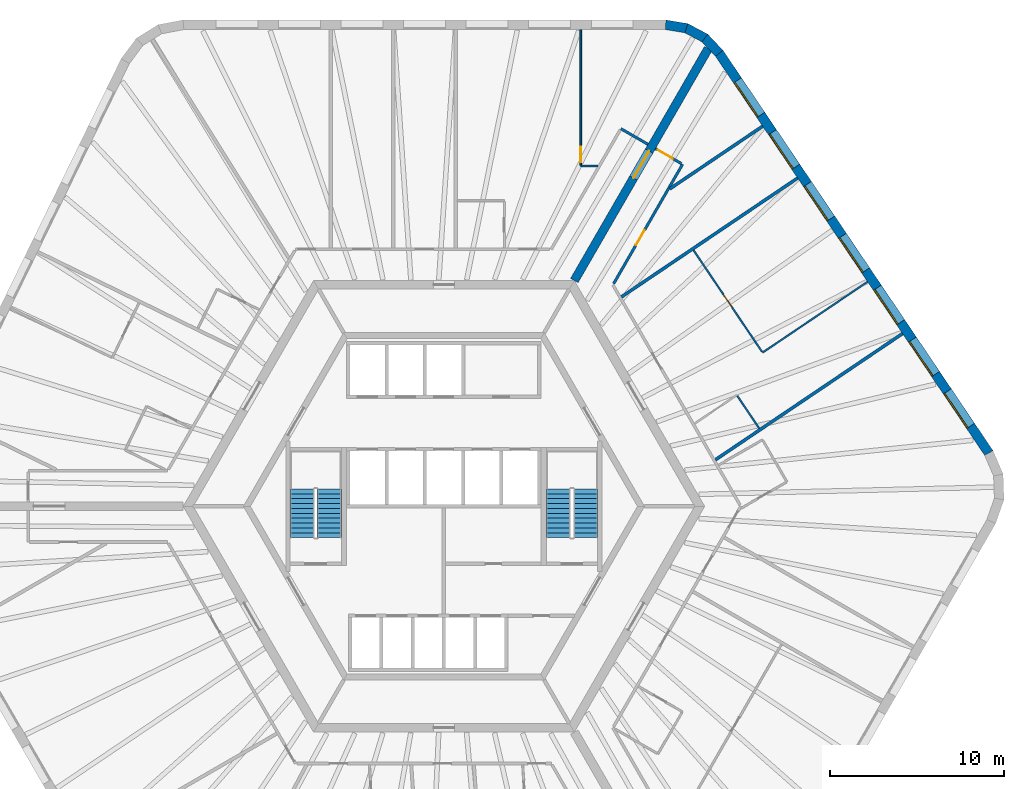
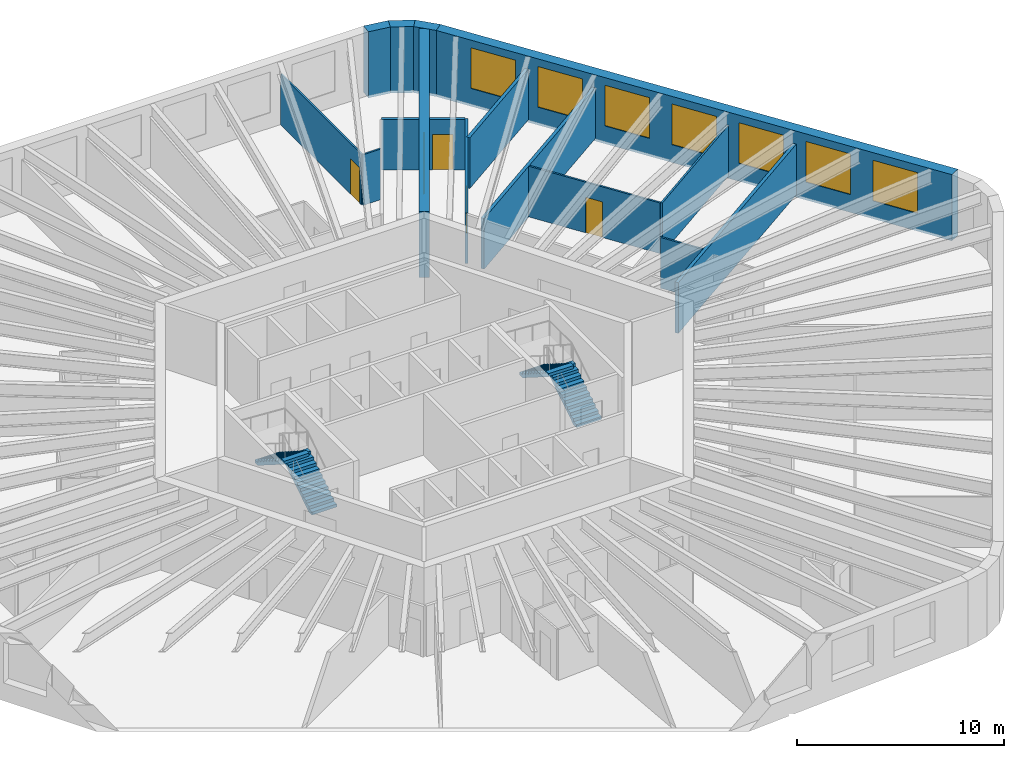
# One storey, part 8 of 9: 16 walls, 7 windows, 5 doors, 4 stair flights, 12 openings, 2 elements without a shape of their own.
"""IFC4 building model written with IfcOpenShell, lengths in metres."""

from ifc_helpers import new_model, si_unit, direction, frame, frame_2d, origin, place, context, subcontext, project, spatial, polyline, rectangle, outline, extrude, material, layer, layer_set, type_object, element, fill, aggregate, save


model = new_model("IFC4")

# Units and contexts
model_context = context("Model", 3, precision=1e-05, world=origin(), true_north=direction((0.0, 1.0)))
body_context = subcontext(model_context, "Body", "Model", "MODEL_VIEW")
ifc_project = project(units=[si_unit("LENGTHUNIT", "METRE"), si_unit("AREAUNIT", "SQUARE_METRE"), si_unit("VOLUMEUNIT", "CUBIC_METRE"), si_unit("PLANEANGLEUNIT", "RADIAN"), si_unit("MASSUNIT", "GRAM", prefix="KILO")], contexts=[model_context])

# Site, building, storey
site_placement = place(None, origin())
site = spatial("IfcSite", under=ifc_project, at=site_placement, CompositionType="ELEMENT")
building_placement = place(site_placement, origin())
building = spatial("IfcBuilding", under=site, at=building_placement, Name="Tarnside Tower", CompositionType="ELEMENT")
storey_placement = place(building_placement, frame((0.0, 0.0, 222.89990234375)))
storey = spatial("IfcBuildingStorey", under=building, at=storey_placement, Name="L53", CompositionType="ELEMENT", Elevation=222.89990234375)

# Wall
ifc_material_1 = material(Name="Gypsum board partition on steel studs", Category="steel")
ifc_layer_1 = layer(ifc_material_1, 0.10009765625)
ifc_layer_set_1 = layer_set([ifc_layer_1], Name="Bathroom wall 100")
wall_type_1 = type_object("IfcWallType", Name="Bathroom wall 100", PredefinedType="PARTITIONING", material=ifc_layer_set_1)
wall_1_placement = place(storey_placement, frame((16.886962890625, 6.36279296875, 0.0), z_axis=(0.0, 0.0, 1.0), x_axis=(0.559179660023, -0.829046505219, 0.0)))
element("IfcWall", 1, at=wall_1_placement, inside=storey, type_object=wall_type_1, Name="Bathroom wall 17095", PredefinedType="PARTITIONING", context=body_context, shape_type="SweptSolid", body=[
    extrude(rectangle(XDim=2.259765625, YDim=0.10009765625, at=frame_2d((1.1298828125, 0.0))), origin(), (0.0, 0.0, 1.0), 2.98779296875),
])

# Wall, opening, door
ifc_material_2 = material(Name="Concrete C70/85", Category="concrete")
ifc_layer_2 = layer(ifc_material_2, 0.5)
ifc_layer_set_2 = layer_set([ifc_layer_2], Name="Core wall Z2 500 C70/85")
wall_type_2 = type_object("IfcWallType", Name="Core wall Z2 500 C70/85", PredefinedType="SHEAR", material=ifc_layer_set_2)
wall_2_placement = place(storey_placement, frame((7.505615234375, 13.0, -0.14990234375), z_axis=(0.0, 0.0, 1.0), x_axis=(0.499988271576, 0.866032175087, 0.0)))
wall_2 = element("IfcWall", 2, at=wall_2_placement, inside=storey, type_object=wall_type_2, Name="L53 spine wall 1", PredefinedType="SHEAR", context=body_context, shape_type="SweptSolid", body=[
    extrude(rectangle(XDim=15.423583984375, YDim=0.5, at=frame_2d((7.7119140625, 0.0))), origin(), (0.0, 0.0, 1.0), 3.89990234375),
])
opening_1_placement = place(wall_2_placement, frame((6.811767578125, 0.0, 0.14990234375)))
opening_1 = element("IfcOpeningElement", 3, at=opening_1_placement, cuts=wall_2, Name="Opening CD-SPN", PredefinedType="OPENING", context=body_context, shape_type="SweptSolid", body=[
    extrude(rectangle(XDim=1.800048828125, YDim=2.39990234375, at=frame_2d((0.89990234375, 1.199951171875))), frame((0.0, 0.260009765625, 0.0), z_axis=(0.0, -1.0, 0.0), x_axis=(1.0, 0.0, 0.0)), (0.0, 0.0, 1.0), 0.52001953125),
])
ifc_material_3 = material(Name="Steel fire door", Category="steel")
door_type_1 = type_object("IfcDoorType", Name="Spine passage double door FD60 1800x2400", OperationType="NOTDEFINED", PredefinedType="DOOR", material=ifc_material_3)
door_1_placement = place(opening_1_placement, origin())
door_1 = element("IfcDoor", 4, at=door_1_placement, inside=storey, type_object=door_type_1, Name="L53 spine passage door 1", OperationType="DOUBLE_DOOR_SINGLE_SWING", OverallHeight=2.39990234375, OverallWidth=1.800048828125, PredefinedType="DOOR", context=body_context, shape_type="SweptSolid", body=[
    extrude(rectangle(XDim=1.800048828125, YDim=2.39990234375, at=frame_2d((0.89990234375, 1.199951171875))), frame((0.0, 0.02490234375, 0.0), z_axis=(0.0, -1.0, 0.0), x_axis=(1.0, 0.0, 0.0)), (0.0, 0.0, 1.0), 0.050048828125),
])
fill(opening_1, door_1)

# Wall
ifc_layer_3 = layer(ifc_material_1, 0.14990234375)
ifc_layer_set_3 = layer_set([ifc_layer_3], Name="Corridor wall 150 EI 60")
wall_type_3 = type_object("IfcWallType", Name="Corridor wall 150 EI 60", PredefinedType="PARTITIONING", material=ifc_layer_set_3)
wall_3_placement = place(storey_placement, frame((11.744873046875, 20.8427734375, 0.0), z_axis=(0.0, 0.0, 1.0), x_axis=(-0.865989075817, 0.500062916607, 0.0)))
element("IfcWall", 5, at=wall_3_placement, inside=storey, type_object=wall_type_3, Name="Corridor wall 17004", PredefinedType="PARTITIONING", context=body_context, shape_type="SweptSolid", body=[
    extrude(rectangle(XDim=1.800048828125, YDim=0.14990234375, at=frame_2d((0.89990234375, 0.0))), origin(), (0.0, 0.0, 1.0), 2.98779296875),
])

# Wall, opening, door
wall_4_placement = place(storey_placement, frame((9.771728515625, 12.824951171875, 0.0), z_axis=(0.0, 0.0, 1.0), x_axis=(0.499989830942, 0.866031274813, 0.0)))
wall_4 = element("IfcWall", 6, at=wall_4_placement, inside=storey, type_object=wall_type_3, Name="Corridor wall 17043", PredefinedType="PARTITIONING", context=body_context, shape_type="SweptSolid", body=[
    extrude(rectangle(XDim=7.930419921875, YDim=0.14990234375, at=frame_2d((3.96533203125, 0.0))), origin(), (0.0, 0.0, 1.0), 2.98779296875),
])
opening_2_placement = place(wall_4_placement, frame((2.552001953125, 0.0, 0.0)))
opening_2 = element("IfcOpeningElement", 7, at=opening_2_placement, cuts=wall_4, Name="Opening D-E1", PredefinedType="OPENING", context=body_context, shape_type="SweptSolid", body=[
    extrude(rectangle(XDim=1.0, YDim=2.10009765625, at=frame_2d((0.5, 1.050048828125))), frame((0.0, 0.0849609375, 0.0), z_axis=(0.0, -1.0, 0.0), x_axis=(1.0, 0.0, 0.0)), (0.0, 0.0, 1.0), 0.169921875),
])
ifc_material_4 = material(Name="Timber door leaf", Category="wood")
door_type_2 = type_object("IfcDoorType", Name="Unit entrance door 1000 FD30S", OperationType="NOTDEFINED", PredefinedType="DOOR", material=ifc_material_4)
door_2_placement = place(opening_2_placement, origin())
door_2 = element("IfcDoor", 8, at=door_2_placement, inside=storey, type_object=door_type_2, Name="Unit door 17032", OperationType="SINGLE_SWING_RIGHT", OverallHeight=2.10009765625, OverallWidth=1.0, PredefinedType="DOOR", context=body_context, shape_type="SweptSolid", body=[
    extrude(rectangle(XDim=1.0, YDim=2.10009765625, at=frame_2d((0.5, 1.050048828125))), frame((0.0, 0.02490234375, 0.0), z_axis=(0.0, -1.0, 0.0), x_axis=(1.0, 0.0, 0.0)), (0.0, 0.0, 1.0), 0.050048828125),
])
fill(opening_2, door_2)

wall_5_placement = place(storey_placement, frame((13.671875, 19.73046875, 0.0), z_axis=(0.0, 0.0, 1.0), x_axis=(-0.866074815912, 0.499914405916, 0.0)))
wall_5 = element("IfcWall", 9, at=wall_5_placement, inside=storey, type_object=wall_type_3, Name="Corridor wall 17045", PredefinedType="PARTITIONING", context=body_context, shape_type="SweptSolid", body=[
    extrude(rectangle(XDim=1.724853515625, YDim=0.14990234375, at=frame_2d((0.8623046875, 0.0))), origin(), (0.0, 0.0, 1.0), 2.98779296875),
])
opening_3_placement = place(wall_5_placement, frame((0.574951171875, 0.0, 0.0)))
opening_3 = element("IfcOpeningElement", 10, at=opening_3_placement, cuts=wall_5, Name="Opening D-E1", PredefinedType="OPENING", context=body_context, shape_type="SweptSolid", body=[
    extrude(rectangle(XDim=1.0, YDim=2.10009765625, at=frame_2d((0.5, 1.050048828125))), frame((0.0, 0.0849609375, 0.0), z_axis=(0.0, -1.0, 0.0), x_axis=(1.0, 0.0, 0.0)), (0.0, 0.0, 1.0), 0.169921875),
])
door_3_placement = place(opening_3_placement, origin())
door_3 = element("IfcDoor", 11, at=door_3_placement, inside=storey, type_object=door_type_2, Name="Unit door 17033", OperationType="SINGLE_SWING_LEFT", OverallHeight=2.10009765625, OverallWidth=1.0, PredefinedType="DOOR", context=body_context, shape_type="SweptSolid", body=[
    extrude(rectangle(XDim=1.0, YDim=2.10009765625, at=frame_2d((0.5, 1.050048828125))), frame((0.0, 0.02490234375, 0.0), z_axis=(0.0, -1.0, 0.0), x_axis=(1.0, 0.0, 0.0)), (0.0, 0.0, 1.0), 0.050048828125),
])
fill(opening_3, door_3)

# Walls
ifc_layer_4 = layer(ifc_material_1, 0.179931640625)
ifc_layer_set_4 = layer_set([ifc_layer_4], Name="Demising wall 180 EI 60")
wall_type_4 = type_object("IfcWallType", Name="Demising wall 180 EI 60", PredefinedType="PARTITIONING", material=ifc_layer_set_4)
wall_6_placement = place(storey_placement, frame((26.40185546875, 9.9462890625, 0.0), z_axis=(0.0, 0.0, 1.0), x_axis=(-0.829032022697, -0.559201131386, 0.0)))
element("IfcWall", 12, at=wall_6_placement, inside=storey, type_object=wall_type_4, Name="Demising wall 17092", PredefinedType="PARTITIONING", context=body_context, shape_type="SweptSolid", body=[
    extrude(rectangle(XDim=12.99462890625, YDim=0.179931640625, at=frame_2d((6.497314453125, 0.0))), origin(), (0.0, 0.0, 1.0), 2.98779296875),
])
wall_7_placement = place(storey_placement, frame((20.362548828125, 18.89990234375, 0.0), z_axis=(0.0, 0.0, 1.0), x_axis=(-0.829030622766, -0.559203206819, 0.0)))
element("IfcWall", 13, at=wall_7_placement, inside=storey, type_object=wall_type_4, Name="Demising wall 17098", PredefinedType="PARTITIONING", context=body_context, shape_type="SweptSolid", body=[
    extrude(rectangle(XDim=12.2392578125, YDim=0.179931640625, at=frame_2d((6.11962890625, 0.0))), origin(), (0.0, 0.0, 1.0), 2.98779296875),
])
wall_8_placement = place(storey_placement, frame((18.349609375, 21.88427734375, 0.0), z_axis=(0.0, 0.0, 1.0), x_axis=(-0.829047205772, -0.559178621374, 0.0)))
element("IfcWall", 14, at=wall_8_placement, inside=storey, type_object=wall_type_4, Name="Demising wall 17100", PredefinedType="PARTITIONING", context=body_context, shape_type="SweptSolid", body=[
    extrude(rectangle(XDim=6.442138671875, YDim=0.179931640625, at=frame_2d((3.22119140625, 0.0))), origin(), (0.0, 0.0, 1.0), 2.98779296875),
])
ifc_layer_5 = layer(ifc_material_1, 0.10009765625)
ifc_layer_set_5 = layer_set([ifc_layer_5], Name="Partition 100")
wall_type_5 = type_object("IfcWallType", Name="Partition 100", PredefinedType="PARTITIONING", material=ifc_layer_set_5)
wall_9_placement = place(storey_placement, frame((8.8623046875, 19.60009765625, 0.0), z_axis=(0.0, 0.0, 1.0), x_axis=(-1.0, 0.0, 0.0)))
element("IfcWall", 15, at=wall_9_placement, inside=storey, type_object=wall_type_5, Name="Partition wall 17048", PredefinedType="PARTITIONING", context=body_context, shape_type="SweptSolid", body=[
    extrude(rectangle(XDim=0.980224609375, YDim=0.10009765625, at=frame_2d((0.490234375, 0.0))), origin(), (0.0, 0.0, 1.0), 2.98779296875),
])

# Wall, opening, door
wall_10_placement = place(storey_placement, frame((7.882080078125, 19.64990234375, 0.0), z_axis=(0.0, 0.0, 1.0), x_axis=(0.0, 1.0, 0.0)))
wall_10 = element("IfcWall", 16, at=wall_10_placement, inside=storey, type_object=wall_type_5, Name="Partition wall 17049", PredefinedType="PARTITIONING", context=body_context, shape_type="SweptSolid", body=[
    extrude(rectangle(XDim=7.800048828125, YDim=0.10009765625, at=frame_2d((3.89990234375, 0.0))), origin(), (0.0, 0.0, 1.0), 2.98779296875),
])
opening_4_placement = place(wall_10_placement, frame((0.14990234375, 0.0, 0.0)))
opening_4 = element("IfcOpeningElement", 17, at=opening_4_placement, cuts=wall_10, Name="Opening D-I1", PredefinedType="OPENING", context=body_context, shape_type="SweptSolid", body=[
    extrude(rectangle(XDim=0.89990234375, YDim=2.10009765625, at=frame_2d((0.449951171875, 1.050048828125))), frame((0.0, 0.06005859375, 0.0), z_axis=(0.0, -1.0, 0.0), x_axis=(1.0, 0.0, 0.0)), (0.0, 0.0, 1.0), 0.1201171875),
])
door_type_3 = type_object("IfcDoorType", Name="Internal door 900", OperationType="NOTDEFINED", PredefinedType="DOOR", material=ifc_material_4)
door_4_placement = place(opening_4_placement, origin())
door_4 = element("IfcDoor", 18, at=door_4_placement, inside=storey, type_object=door_type_3, Name="Internal door 17003", OperationType="SINGLE_SWING_RIGHT", OverallHeight=2.10009765625, OverallWidth=0.89990234375, PredefinedType="DOOR", context=body_context, shape_type="SweptSolid", body=[
    extrude(rectangle(XDim=0.89990234375, YDim=2.10009765625, at=frame_2d((0.449951171875, 1.050048828125))), frame((0.0, 0.02490234375, 0.0), z_axis=(0.0, -1.0, 0.0), x_axis=(1.0, 0.0, 0.0)), (0.0, 0.0, 1.0), 0.050048828125),
])
fill(opening_4, door_4)

# Wall
wall_11_placement = place(storey_placement, frame((24.388671875, 12.9306640625, 0.0), z_axis=(0.0, 0.0, 1.0), x_axis=(-0.829029895244, -0.559204285383, 0.0)))
element("IfcWall", 19, at=wall_11_placement, inside=storey, type_object=wall_type_5, Name="Partition wall 17096", PredefinedType="PARTITIONING", context=body_context, shape_type="SweptSolid", body=[
    extrude(rectangle(XDim=7.291748046875, YDim=0.10009765625, at=frame_2d((3.64599609375, 0.0))), origin(), (0.0, 0.0, 1.0), 2.98779296875),
])

# Wall, opening, door
wall_12_placement = place(storey_placement, frame((18.3154296875, 8.89453125, 0.0), z_axis=(0.0, 0.0, 1.0), x_axis=(-0.559177045947, 0.829048268369, 0.0)))
wall_12 = element("IfcWall", 20, at=wall_12_placement, inside=storey, type_object=wall_type_5, Name="Partition wall 17097", PredefinedType="PARTITIONING", context=body_context, shape_type="SweptSolid", body=[
    extrude(rectangle(XDim=7.059814453125, YDim=0.10009765625, at=frame_2d((3.52978515625, 0.0))), origin(), (0.0, 0.0, 1.0), 2.98779296875),
])
opening_5_placement = place(wall_12_placement, frame((3.10009765625, 0.0, 0.0)))
opening_5 = element("IfcOpeningElement", 21, at=opening_5_placement, cuts=wall_12, Name="Opening D-I1", PredefinedType="OPENING", context=body_context, shape_type="SweptSolid", body=[
    extrude(rectangle(XDim=0.89990234375, YDim=2.10009765625, at=frame_2d((0.449951171875, 1.050048828125))), frame((0.0, 0.06005859375, 0.0), z_axis=(0.0, -1.0, 0.0), x_axis=(1.0, 0.0, 0.0)), (0.0, 0.0, 1.0), 0.1201171875),
])
door_5_placement = place(opening_5_placement, origin())
door_5 = element("IfcDoor", 22, at=door_5_placement, inside=storey, type_object=door_type_3, Name="Internal door 17031", OperationType="SINGLE_SWING_LEFT", OverallHeight=2.10009765625, OverallWidth=0.89990234375, PredefinedType="DOOR", context=body_context, shape_type="SweptSolid", body=[
    extrude(rectangle(XDim=0.89990234375, YDim=2.10009765625, at=frame_2d((0.449951171875, 1.050048828125))), frame((0.0, 0.02490234375, 0.0), z_axis=(0.0, -1.0, 0.0), x_axis=(1.0, 0.0, 0.0)), (0.0, 0.0, 1.0), 0.050048828125),
])
fill(opening_5, door_5)

# Wall, openings, windows
ifc_material_5 = material(Name="Facing brick", Category="masonry")
ifc_layer_6 = layer(ifc_material_5, 0.10205078125)
ifc_material_6 = material(Name="Concrete C60/75 precast", Category="concrete")
ifc_layer_7 = layer(ifc_material_6, 0.347900390625)
ifc_material_7 = material(Name="Mineral wool insulation")
ifc_layer_8 = layer(ifc_material_7, 0.10009765625)
ifc_layer_set_6 = layer_set([ifc_layer_6, ifc_layer_7, ifc_layer_8], Name="Tube wall 550 brick faced")
wall_type_6 = type_object("IfcWallType", Name="Tube wall 550 brick faced", PredefinedType="SOLIDWALL", material=ifc_layer_set_6)
wall_13_placement = place(storey_placement, frame((31.37109375, 3.070556640625, -0.14990234375), z_axis=(0.0, 0.0, 1.0), x_axis=(-0.559189891278, 0.829039604297, 0.0)))
wall_13 = element("IfcWall", 23, at=wall_13_placement, inside=storey, type_object=wall_type_6, Name="Tube wall L53 F6 flush 20", PredefinedType="SOLIDWALL", context=body_context, shape_type="SweptSolid", body=[
    extrude(outline(polyline([(-0.025634765625, -0.27490234375), (27.780517578125, -0.27490234375), (27.735595703125, 0.27490234375), (0.025634765625, 0.27490234375), (-0.025634765625, -0.27490234375)])), origin(), (0.0, 0.0, 1.0), 3.89990234375),
])
opening_6_placement = place(wall_13_placement, frame((1.87890625, 0.0, 1.050048828125)))
opening_6 = element("IfcOpeningElement", 24, at=opening_6_placement, cuts=wall_13, Name="Opening WH", PredefinedType="OPENING", context=body_context, shape_type="SweptSolid", body=[
    extrude(rectangle(XDim=2.39990234375, YDim=2.39990234375, at=frame_2d((1.199951171875, 1.199951171875))), frame((0.0, 0.28515625, 0.0), z_axis=(0.0, -1.0, 0.0), x_axis=(1.0, 0.0, 0.0)), (0.0, 0.0, 1.0), 0.570068359375),
])
opening_7_placement = place(wall_13_placement, frame((5.47900390625, 0.0, 1.050048828125)))
opening_7 = element("IfcOpeningElement", 25, at=opening_7_placement, cuts=wall_13, Name="Opening WH", PredefinedType="OPENING", context=body_context, shape_type="SweptSolid", body=[
    extrude(rectangle(XDim=2.39990234375, YDim=2.39990234375, at=frame_2d((1.199951171875, 1.199951171875))), frame((0.0, 0.28515625, 0.0), z_axis=(0.0, -1.0, 0.0), x_axis=(1.0, 0.0, 0.0)), (0.0, 0.0, 1.0), 0.570068359375),
])
opening_8_placement = place(wall_13_placement, frame((9.078857421875, 0.0, 1.050048828125)))
opening_8 = element("IfcOpeningElement", 26, at=opening_8_placement, cuts=wall_13, Name="Opening WH", PredefinedType="OPENING", context=body_context, shape_type="SweptSolid", body=[
    extrude(rectangle(XDim=2.39990234375, YDim=2.39990234375, at=frame_2d((1.199951171875, 1.199951171875))), frame((0.0, 0.28515625, 0.0), z_axis=(0.0, -1.0, 0.0), x_axis=(1.0, 0.0, 0.0)), (0.0, 0.0, 1.0), 0.570068359375),
])
opening_9_placement = place(wall_13_placement, frame((12.678955078125, 0.0, 1.050048828125)))
opening_9 = element("IfcOpeningElement", 27, at=opening_9_placement, cuts=wall_13, Name="Opening WH", PredefinedType="OPENING", context=body_context, shape_type="SweptSolid", body=[
    extrude(rectangle(XDim=2.39990234375, YDim=2.39990234375, at=frame_2d((1.199951171875, 1.199951171875))), frame((0.0, 0.28515625, 0.0), z_axis=(0.0, -1.0, 0.0), x_axis=(1.0, 0.0, 0.0)), (0.0, 0.0, 1.0), 0.570068359375),
])
opening_10_placement = place(wall_13_placement, frame((16.27880859375, 0.0, 1.050048828125)))
opening_10 = element("IfcOpeningElement", 28, at=opening_10_placement, cuts=wall_13, Name="Opening WH", PredefinedType="OPENING", context=body_context, shape_type="SweptSolid", body=[
    extrude(rectangle(XDim=2.39990234375, YDim=2.39990234375, at=frame_2d((1.199951171875, 1.199951171875))), frame((0.0, 0.28515625, 0.0), z_axis=(0.0, -1.0, 0.0), x_axis=(1.0, 0.0, 0.0)), (0.0, 0.0, 1.0), 0.570068359375),
])
opening_11_placement = place(wall_13_placement, frame((19.87890625, 0.0, 1.050048828125)))
opening_11 = element("IfcOpeningElement", 29, at=opening_11_placement, cuts=wall_13, Name="Opening WH", PredefinedType="OPENING", context=body_context, shape_type="SweptSolid", body=[
    extrude(rectangle(XDim=2.39990234375, YDim=2.39990234375, at=frame_2d((1.199951171875, 1.199951171875))), frame((0.0, 0.28515625, 0.0), z_axis=(0.0, -1.0, 0.0), x_axis=(1.0, 0.0, 0.0)), (0.0, 0.0, 1.0), 0.570068359375),
])
opening_12_placement = place(wall_13_placement, frame((23.47900390625, 0.0, 1.050048828125)))
opening_12 = element("IfcOpeningElement", 30, at=opening_12_placement, cuts=wall_13, Name="Opening WH", PredefinedType="OPENING", context=body_context, shape_type="SweptSolid", body=[
    extrude(rectangle(XDim=2.39990234375, YDim=2.39990234375, at=frame_2d((1.199951171875, 1.199951171875))), frame((0.0, 0.28515625, 0.0), z_axis=(0.0, -1.0, 0.0), x_axis=(1.0, 0.0, 0.0)), (0.0, 0.0, 1.0), 0.570068359375),
])
ifc_material_8 = material(Name="Aluminium-framed double glazing", Category="aluminium")
window_type = type_object("IfcWindowType", Name="Hotel window 2400 x 2400", PartitioningType="DOUBLE_PANEL_VERTICAL", PredefinedType="WINDOW", material=ifc_material_8)
window_1_placement = place(opening_6_placement, frame((0.0, 0.205078125, 0.0)))
window_1 = element("IfcWindow", 31, at=window_1_placement, inside=storey, type_object=window_type, Name="E.WN.L53.F6.00", OverallHeight=2.39990234375, OverallWidth=2.39990234375, PartitioningType="DOUBLE_PANEL_VERTICAL", PredefinedType="WINDOW", context=body_context, shape_type="SweptSolid", body=[
    extrude(rectangle(XDim=2.39990234375, YDim=2.39990234375, at=frame_2d((1.199951171875, 1.199951171875))), frame((0.0, 0.030029296875, 0.0), z_axis=(0.0, -1.0, 0.0), x_axis=(1.0, 0.0, 0.0)), (0.0, 0.0, 1.0), 0.06005859375),
])
fill(opening_6, window_1)
window_2_placement = place(opening_7_placement, frame((0.0, 0.205078125, 0.0)))
window_2 = element("IfcWindow", 32, at=window_2_placement, inside=storey, type_object=window_type, Name="E.WN.L53.F6.01", OverallHeight=2.39990234375, OverallWidth=2.39990234375, PartitioningType="DOUBLE_PANEL_VERTICAL", PredefinedType="WINDOW", context=body_context, shape_type="SweptSolid", body=[
    extrude(rectangle(XDim=2.39990234375, YDim=2.39990234375, at=frame_2d((1.199951171875, 1.199951171875))), frame((0.0, 0.030029296875, 0.0), z_axis=(0.0, -1.0, 0.0), x_axis=(1.0, 0.0, 0.0)), (0.0, 0.0, 1.0), 0.06005859375),
])
fill(opening_7, window_2)
window_3_placement = place(opening_8_placement, frame((0.0, 0.205078125, 0.0)))
window_3 = element("IfcWindow", 33, at=window_3_placement, inside=storey, type_object=window_type, Name="E.WN.L53.F6.02", OverallHeight=2.39990234375, OverallWidth=2.39990234375, PartitioningType="DOUBLE_PANEL_VERTICAL", PredefinedType="WINDOW", context=body_context, shape_type="SweptSolid", body=[
    extrude(rectangle(XDim=2.39990234375, YDim=2.39990234375, at=frame_2d((1.199951171875, 1.199951171875))), frame((0.0, 0.030029296875, 0.0), z_axis=(0.0, -1.0, 0.0), x_axis=(1.0, 0.0, 0.0)), (0.0, 0.0, 1.0), 0.06005859375),
])
fill(opening_8, window_3)
window_4_placement = place(opening_9_placement, frame((0.0, 0.205078125, 0.0)))
window_4 = element("IfcWindow", 34, at=window_4_placement, inside=storey, type_object=window_type, Name="E.WN.L53.F6.03", OverallHeight=2.39990234375, OverallWidth=2.39990234375, PartitioningType="DOUBLE_PANEL_VERTICAL", PredefinedType="WINDOW", context=body_context, shape_type="SweptSolid", body=[
    extrude(rectangle(XDim=2.39990234375, YDim=2.39990234375, at=frame_2d((1.199951171875, 1.199951171875))), frame((0.0, 0.030029296875, 0.0), z_axis=(0.0, -1.0, 0.0), x_axis=(1.0, 0.0, 0.0)), (0.0, 0.0, 1.0), 0.06005859375),
])
fill(opening_9, window_4)
window_5_placement = place(opening_10_placement, frame((0.0, 0.205078125, 0.0)))
window_5 = element("IfcWindow", 35, at=window_5_placement, inside=storey, type_object=window_type, Name="E.WN.L53.F6.04", OverallHeight=2.39990234375, OverallWidth=2.39990234375, PartitioningType="DOUBLE_PANEL_VERTICAL", PredefinedType="WINDOW", context=body_context, shape_type="SweptSolid", body=[
    extrude(rectangle(XDim=2.39990234375, YDim=2.39990234375, at=frame_2d((1.199951171875, 1.199951171875))), frame((0.0, 0.030029296875, 0.0), z_axis=(0.0, -1.0, 0.0), x_axis=(1.0, 0.0, 0.0)), (0.0, 0.0, 1.0), 0.06005859375),
])
fill(opening_10, window_5)
window_6_placement = place(opening_11_placement, frame((0.0, 0.205078125, 0.0)))
window_6 = element("IfcWindow", 36, at=window_6_placement, inside=storey, type_object=window_type, Name="E.WN.L53.F6.05", OverallHeight=2.39990234375, OverallWidth=2.39990234375, PartitioningType="DOUBLE_PANEL_VERTICAL", PredefinedType="WINDOW", context=body_context, shape_type="SweptSolid", body=[
    extrude(rectangle(XDim=2.39990234375, YDim=2.39990234375, at=frame_2d((1.199951171875, 1.199951171875))), frame((0.0, 0.030029296875, 0.0), z_axis=(0.0, -1.0, 0.0), x_axis=(1.0, 0.0, 0.0)), (0.0, 0.0, 1.0), 0.06005859375),
])
fill(opening_11, window_6)
window_7_placement = place(opening_12_placement, frame((0.0, 0.205078125, 0.0)))
window_7 = element("IfcWindow", 37, at=window_7_placement, inside=storey, type_object=window_type, Name="E.WN.L53.F6.06", OverallHeight=2.39990234375, OverallWidth=2.39990234375, PartitioningType="DOUBLE_PANEL_VERTICAL", PredefinedType="WINDOW", context=body_context, shape_type="SweptSolid", body=[
    extrude(rectangle(XDim=2.39990234375, YDim=2.39990234375, at=frame_2d((1.199951171875, 1.199951171875))), frame((0.0, 0.030029296875, 0.0), z_axis=(0.0, -1.0, 0.0), x_axis=(1.0, 0.0, 0.0)), (0.0, 0.0, 1.0), 0.06005859375),
])
fill(opening_12, window_7)

# Walls
wall_14_placement = place(storey_placement, frame((15.84912109375, 26.0830078125, -0.14990234375), z_axis=(0.0, 0.0, 1.0), x_axis=(-0.686196220404, 0.727416488061, 0.0)))
element("IfcWall", 38, at=wall_14_placement, inside=storey, type_object=wall_type_6, Name="Tube wall L53 F6 chord 21", PredefinedType="SOLIDWALL", context=body_context, shape_type="SweptSolid", body=[
    extrude(outline(polyline([(-0.0224609375, -0.27490234375), (1.25341796875, -0.27490234375), (1.1630859375, 0.27490234375), (0.0224609375, 0.27490234375), (-0.0224609375, -0.27490234375)])), origin(), (0.0, 0.0, 1.0), 3.89990234375),
])
wall_15_placement = place(storey_placement, frame((15.02001953125, 26.9619140625, -0.14990234375), z_axis=(0.0, 0.0, 1.0), x_axis=(-0.882950818639, 0.469465495926, 0.0)))
element("IfcWall", 39, at=wall_15_placement, inside=storey, type_object=wall_type_6, Name="Tube wall L53 F6 chord 22", PredefinedType="SOLIDWALL", context=body_context, shape_type="SweptSolid", body=[
    extrude(outline(polyline([(-0.045166015625, -0.27490234375), (1.253173828125, -0.27490234375), (1.162841796875, 0.27490234375), (0.045166015625, 0.27490234375), (-0.045166015625, -0.27490234375)])), origin(), (0.0, 0.0, 1.0), 3.89990234375),
])
wall_16_placement = place(storey_placement, frame((13.953369140625, 27.529052734375, -0.14990234375), z_axis=(0.0, 0.0, 1.0), x_axis=(-0.986751945211, 0.162236243244, 0.0)))
element("IfcWall", 40, at=wall_16_placement, inside=storey, type_object=wall_type_6, Name="Tube wall L53 F6 chord 23", PredefinedType="SOLIDWALL", context=body_context, shape_type="SweptSolid", body=[
    extrude(outline(polyline([(-0.045166015625, -0.27490234375), (1.23095703125, -0.27490234375), (1.18603515625, 0.27490234375), (0.045166015625, 0.27490234375), (-0.045166015625, -0.27490234375)])), origin(), (0.0, 0.0, 1.0), 3.89990234375),
])

# Stair, stair flights
ifc_material_9 = material(Name="Concrete C40/50", Category="concrete")
stair_type = type_object("IfcStairType", Name="Exit stair 1400 clear", PredefinedType="HALF_TURN_STAIR", material=ifc_material_9)
stair_1_placement = place(storey_placement, origin())
stair_1 = element("IfcStair", 41, at=stair_1_placement, inside=storey, type_object=stair_type, Name="L53 Exit stair 1", PredefinedType="HALF_TURN_STAIR")
stair_flight_type = type_object("IfcStairFlightType", Name="Exit stair flight 1400", PredefinedType="STRAIGHT", material=ifc_material_9)
stair_flight_1_placement = place(storey_placement, frame((8.14990234375, -1.800048828125, 0.0), z_axis=(0.0, 0.0, 1.0), x_axis=(0.0, 1.0, 0.0)))
stair_flight_1 = element("IfcStairFlight", 42, at=stair_flight_1_placement, type_object=stair_flight_type, Name="ST1 flight 1", NumberOfRisers=11, NumberOfTreads=10, PredefinedType="STRAIGHT", RiserHeight=0.177272727, TreadLength=0.28, context=body_context, shape_type="SweptSolid", body=[
    extrude(outline(polyline([(0.0, 0.0), (0.0, 0.17724609375), (0.280029296875, 0.17724609375), (0.280029296875, 0.3544921875), (0.56005859375, 0.3544921875), (0.56005859375, 0.53173828125), (0.840087890625, 0.53173828125), (0.840087890625, 0.708984375), (1.1201171875, 0.708984375), (1.1201171875, 0.886474609375), (1.39990234375, 0.886474609375), (1.39990234375, 1.063720703125), (1.679931640625, 1.063720703125), (1.679931640625, 1.240966796875), (1.9599609375, 1.240966796875), (1.9599609375, 1.418212890625), (2.239990234375, 1.418212890625), (2.239990234375, 1.595458984375), (2.52001953125, 1.595458984375), (2.52001953125, 1.772705078125), (2.800048828125, 1.772705078125), (2.800048828125, 1.949951171875), (2.800048828125, 1.59521484375), (0.2802734375, 0.0), (0.0, 0.0)])), frame((0.0, 0.699951171875, 0.0), z_axis=(0.0, -1.0, 0.0), x_axis=(1.0, 0.0, 0.0)), (0.0, 0.0, 1.0), 1.39990234375),
])
stair_flight_2_placement = place(storey_placement, frame((6.60009765625, 1.0, 1.9501953125), z_axis=(0.0, 0.0, 1.0), x_axis=(0.0, -1.0, 0.0)))
stair_flight_2 = element("IfcStairFlight", 43, at=stair_flight_2_placement, type_object=stair_flight_type, Name="ST1 flight 2", NumberOfRisers=11, NumberOfTreads=10, PredefinedType="STRAIGHT", RiserHeight=0.177272727, TreadLength=0.28, context=body_context, shape_type="SweptSolid", body=[
    extrude(outline(polyline([(0.0, 0.0), (0.0, 0.17724609375), (0.280029296875, 0.17724609375), (0.280029296875, 0.3544921875), (0.56005859375, 0.3544921875), (0.56005859375, 0.53173828125), (0.840087890625, 0.53173828125), (0.840087890625, 0.708984375), (1.1201171875, 0.708984375), (1.1201171875, 0.886474609375), (1.39990234375, 0.886474609375), (1.39990234375, 1.063720703125), (1.679931640625, 1.063720703125), (1.679931640625, 1.240966796875), (1.9599609375, 1.240966796875), (1.9599609375, 1.418212890625), (2.239990234375, 1.418212890625), (2.239990234375, 1.595458984375), (2.52001953125, 1.595458984375), (2.52001953125, 1.772705078125), (2.800048828125, 1.772705078125), (2.800048828125, 1.949951171875), (2.800048828125, 1.59521484375), (0.2802734375, 0.0), (0.0, 0.0)])), frame((0.0, 0.699951171875, 0.0), z_axis=(0.0, -1.0, 0.0), x_axis=(1.0, 0.0, 0.0)), (0.0, 0.0, 1.0), 1.39990234375),
])
aggregate(stair_1, [stair_flight_1, stair_flight_2])

stair_2_placement = place(storey_placement, origin())
stair_2 = element("IfcStair", 44, at=stair_2_placement, inside=storey, type_object=stair_type, Name="L53 Exit stair 2", PredefinedType="HALF_TURN_STAIR")
stair_flight_3_placement = place(storey_placement, frame((-6.60009765625, -1.800048828125, 0.0), z_axis=(0.0, 0.0, 1.0), x_axis=(0.0, 1.0, 0.0)))
stair_flight_3 = element("IfcStairFlight", 45, at=stair_flight_3_placement, type_object=stair_flight_type, Name="ST2 flight 1", NumberOfRisers=11, NumberOfTreads=10, PredefinedType="STRAIGHT", RiserHeight=0.177272727, TreadLength=0.28, context=body_context, shape_type="SweptSolid", body=[
    extrude(outline(polyline([(0.0, 0.0), (0.0, 0.17724609375), (0.280029296875, 0.17724609375), (0.280029296875, 0.3544921875), (0.56005859375, 0.3544921875), (0.56005859375, 0.53173828125), (0.840087890625, 0.53173828125), (0.840087890625, 0.708984375), (1.1201171875, 0.708984375), (1.1201171875, 0.886474609375), (1.39990234375, 0.886474609375), (1.39990234375, 1.063720703125), (1.679931640625, 1.063720703125), (1.679931640625, 1.240966796875), (1.9599609375, 1.240966796875), (1.9599609375, 1.418212890625), (2.239990234375, 1.418212890625), (2.239990234375, 1.595458984375), (2.52001953125, 1.595458984375), (2.52001953125, 1.772705078125), (2.800048828125, 1.772705078125), (2.800048828125, 1.949951171875), (2.800048828125, 1.59521484375), (0.2802734375, 0.0), (0.0, 0.0)])), frame((0.0, 0.699951171875, 0.0), z_axis=(0.0, -1.0, 0.0), x_axis=(1.0, 0.0, 0.0)), (0.0, 0.0, 1.0), 1.39990234375),
])
stair_flight_4_placement = place(storey_placement, frame((-8.14990234375, 1.0, 1.9501953125), z_axis=(0.0, 0.0, 1.0), x_axis=(0.0, -1.0, 0.0)))
stair_flight_4 = element("IfcStairFlight", 46, at=stair_flight_4_placement, type_object=stair_flight_type, Name="ST2 flight 2", NumberOfRisers=11, NumberOfTreads=10, PredefinedType="STRAIGHT", RiserHeight=0.177272727, TreadLength=0.28, context=body_context, shape_type="SweptSolid", body=[
    extrude(outline(polyline([(0.0, 0.0), (0.0, 0.17724609375), (0.280029296875, 0.17724609375), (0.280029296875, 0.3544921875), (0.56005859375, 0.3544921875), (0.56005859375, 0.53173828125), (0.840087890625, 0.53173828125), (0.840087890625, 0.708984375), (1.1201171875, 0.708984375), (1.1201171875, 0.886474609375), (1.39990234375, 0.886474609375), (1.39990234375, 1.063720703125), (1.679931640625, 1.063720703125), (1.679931640625, 1.240966796875), (1.9599609375, 1.240966796875), (1.9599609375, 1.418212890625), (2.239990234375, 1.418212890625), (2.239990234375, 1.595458984375), (2.52001953125, 1.595458984375), (2.52001953125, 1.772705078125), (2.800048828125, 1.772705078125), (2.800048828125, 1.949951171875), (2.800048828125, 1.59521484375), (0.2802734375, 0.0), (0.0, 0.0)])), frame((0.0, 0.699951171875, 0.0), z_axis=(0.0, -1.0, 0.0), x_axis=(1.0, 0.0, 0.0)), (0.0, 0.0, 1.0), 1.39990234375),
])
aggregate(stair_2, [stair_flight_3, stair_flight_4])

save(model, "model.ifc")
